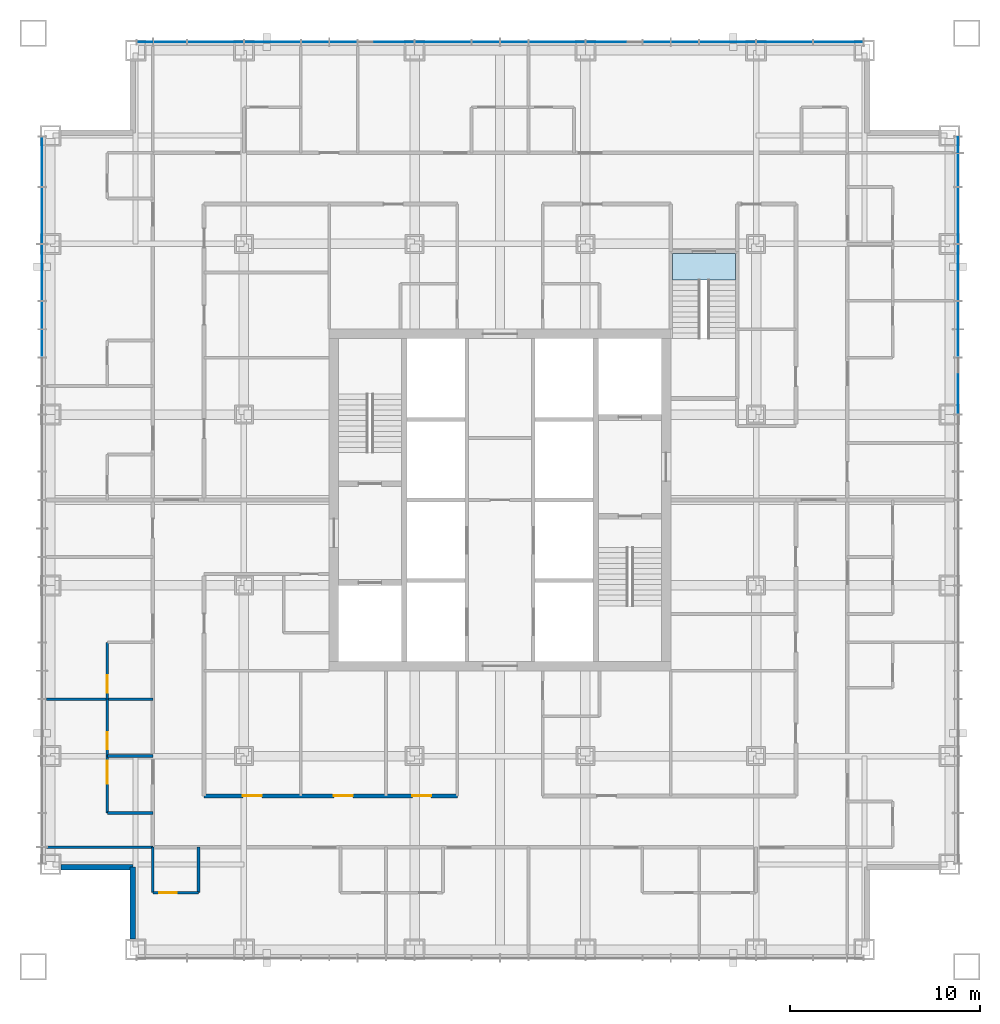
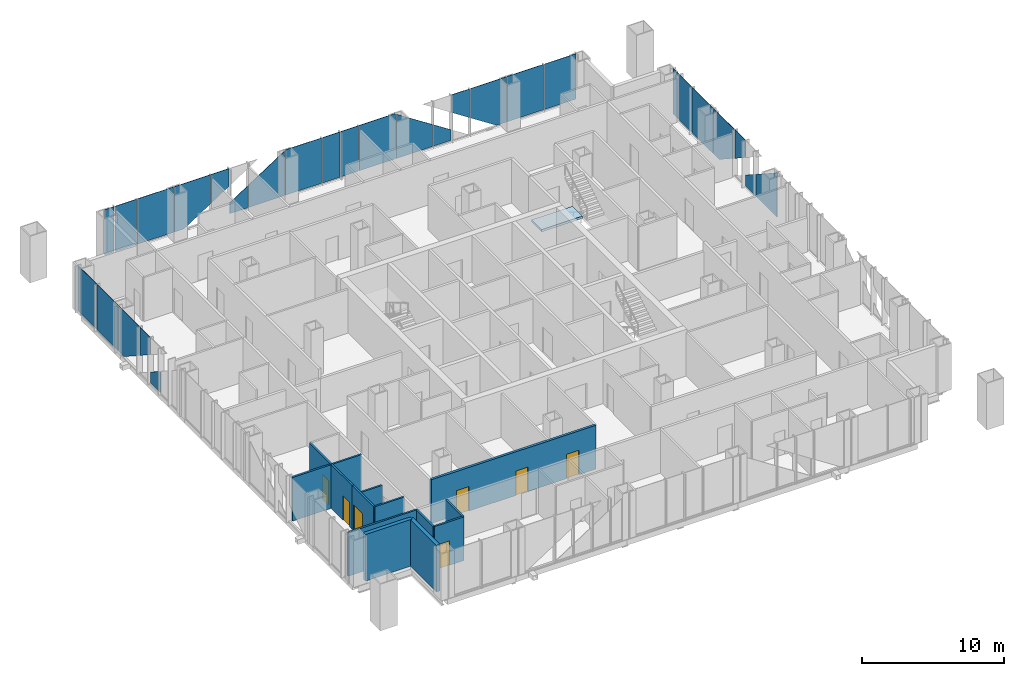
# One storey, part 8 of 14: 29 plates, 13 walls, 7 doors, 1 slab, 7 openings, 4 elements without a shape of their own.
"""IFC4 building model written with IfcOpenShell, lengths in metres."""

from ifc_helpers import new_model, si_unit, direction, frame, frame_2d, origin, origin_2d, place, context, subcontext, project, spatial, polyline, rectangle, outline, extrude, material, layer, layer_set, type_object, element, fill, aggregate, save


model = new_model("IFC4")

# Units and contexts
model_context = context("Model", 3, precision=1e-05, world=origin(), true_north=direction((0.0, 1.0)))
body_context = subcontext(model_context, "Body", "Model", "MODEL_VIEW")
ifc_project = project(units=[si_unit("LENGTHUNIT", "METRE"), si_unit("AREAUNIT", "SQUARE_METRE"), si_unit("VOLUMEUNIT", "CUBIC_METRE"), si_unit("PLANEANGLEUNIT", "RADIAN"), si_unit("MASSUNIT", "GRAM", prefix="KILO")], contexts=[model_context])

# Site, building, storey
site_placement = place(None, origin())
site = spatial("IfcSite", under=ifc_project, at=site_placement, CompositionType="ELEMENT")
building_placement = place(site_placement, origin())
building = spatial("IfcBuilding", under=site, at=building_placement, Name="Malebo Sky Hospital", CompositionType="ELEMENT")
storey_placement = place(building_placement, frame((0.0, 0.0, 148.0)))
storey = spatial("IfcBuildingStorey", under=building, at=storey_placement, Name="L35", CompositionType="ELEMENT", Elevation=148.0)

# Stair, slab
ifc_material_1 = material(Name="Concrete C40/50", Category="concrete")
stair_type = type_object("IfcStairType", Name="HALF-TURN STAIR 1400 R167", PredefinedType="HALF_TURN_STAIR", material=ifc_material_1)
stair_placement = place(storey_placement, origin())
stair = element("IfcStair", 1, at=stair_placement, inside=storey, type_object=stair_type, Name="Stair S3 L35 type ST1B", PredefinedType="HALF_TURN_STAIR")
ifc_layer_1 = layer(ifc_material_1, 0.199951171875)
ifc_layer_set_1 = layer_set([ifc_layer_1], Name="STAIR LANDING 200")
slab_type = type_object("IfcSlabType", Name="STAIR LANDING 200", PredefinedType="LANDING", material=ifc_layer_set_1)
slab_placement = place(storey_placement, frame((0.0, 0.0, -0.199951171875)))
slab = element("IfcSlab", 2, at=slab_placement, type_object=slab_type, Name="S3 landing 1", PredefinedType="LANDING", context=body_context, shape_type="SweptSolid", body=[
    extrude(outline(polyline([(69.10009765625, 73.60009765625), (72.39990234375, 73.60009765625), (72.39990234375, 75.0), (69.10009765625, 75.0), (69.10009765625, 73.60009765625)])), origin(), (0.0, 0.0, 1.0), 0.199951171875),
])
aggregate(stair, [slab])

# Curtain wall, plates
ifc_material_2 = material(Name="Anodised aluminium, natural silver", Category="aluminium")
ifc_layer_2 = layer(ifc_material_2, 0.25)
ifc_layer_set_2 = layer_set([ifc_layer_2], Name="WARD CURTAIN WALL NORTH AND SOUTH")
curtain_wall_type_1 = type_object("IfcCurtainWallType", Name="WARD CURTAIN WALL NORTH AND SOUTH", PredefinedType="NOTDEFINED", material=ifc_layer_set_2)
curtain_wall_1_placement = place(storey_placement, origin())
curtain_wall_1 = element("IfcCurtainWall", 3, at=curtain_wall_1_placement, inside=storey, type_object=curtain_wall_type_1, Name="NS curtain wall N", PredefinedType="NOTDEFINED")
ifc_material_3 = material(Name="Clear low-iron double glazing", Category="glass")
ifc_layer_3 = layer(ifc_material_3, 0.031982421875)
ifc_layer_set_3 = layer_set([ifc_layer_3], Name="VISION PANEL CLEAR 32")
plate_type = type_object("IfcPlateType", Name="VISION PANEL CLEAR 32", PredefinedType="CURTAIN_PANEL", material=ifc_layer_set_3)
plate_1_placement = place(storey_placement, frame((41.268798828125, 86.135009765625, 0.10009765625), z_axis=(0.0, 0.0, 1.0), x_axis=(1.0, 0.0, 0.0)))
plate_1 = element("IfcPlate", 4, at=plate_1_placement, type_object=plate_type, Name="Panel 1", PredefinedType="CURTAIN_PANEL", context=body_context, shape_type="SweptSolid", body=[
    extrude(rectangle(XDim=0.78759765625, YDim=0.031982421875, at=origin_2d()), origin(), (0.0, 0.0, 1.0), 3.889892578125),
])
plate_2_placement = place(storey_placement, frame((42.60009765625, 86.135009765625, 0.10009765625), z_axis=(0.0, 0.0, 1.0), x_axis=(1.0, 0.0, 0.0)))
plate_2 = element("IfcPlate", 5, at=plate_2_placement, type_object=plate_type, Name="Panel 2", PredefinedType="CURTAIN_PANEL", context=body_context, shape_type="SweptSolid", body=[
    extrude(rectangle(XDim=1.72509765625, YDim=0.031982421875, at=origin_2d()), origin(), (0.0, 0.0, 1.0), 3.889892578125),
])
plate_3_placement = place(storey_placement, frame((45.0, 86.135009765625, 0.10009765625), z_axis=(0.0, 0.0, 1.0), x_axis=(1.0, 0.0, 0.0)))
plate_3 = element("IfcPlate", 6, at=plate_3_placement, type_object=plate_type, Name="Panel 3", PredefinedType="CURTAIN_PANEL", context=body_context, shape_type="SweptSolid", body=[
    extrude(rectangle(XDim=2.925048828125, YDim=0.031982421875, at=origin_2d()), origin(), (0.0, 0.0, 1.0), 3.889892578125),
])
plate_4_placement = place(storey_placement, frame((48.0, 86.135009765625, 0.10009765625), z_axis=(0.0, 0.0, 1.0), x_axis=(1.0, 0.0, 0.0)))
plate_4 = element("IfcPlate", 7, at=plate_4_placement, type_object=plate_type, Name="Panel 4", PredefinedType="CURTAIN_PANEL", context=body_context, shape_type="SweptSolid", body=[
    extrude(outline(polyline([(-1.46240234375, 0.0), (-0.6787109375, 0.0), (1.46240234375, 1.392578125), (1.46240234375, 3.889892578125), (-1.46240234375, 3.889892578125), (-1.46240234375, 0.0)])), frame((0.0, 0.01611328125, 0.0), z_axis=(0.0, -1.0, 0.0), x_axis=(1.0, 0.0, 0.0)), (0.0, 0.0, 1.0), 0.031982421875),
])
plate_5_placement = place(storey_placement, frame((50.25, 86.135009765625, 1.54150390625), z_axis=(0.0, 0.0, 1.0), x_axis=(1.0, 0.0, 0.0)))
plate_5 = element("IfcPlate", 8, at=plate_5_placement, type_object=plate_type, Name="Panel 5", PredefinedType="CURTAIN_PANEL", context=body_context, shape_type="SweptSolid", body=[
    extrude(outline(polyline([(-0.71240234375, 0.0), (0.71240234375, 0.9267578125), (0.71240234375, 2.448486328125), (-0.71240234375, 2.448486328125), (-0.71240234375, 0.0)])), frame((0.0, 0.01611328125, 0.0), z_axis=(0.0, -1.0, 0.0), x_axis=(1.0, 0.0, 0.0)), (0.0, 0.0, 1.0), 0.031982421875),
])
plate_6_placement = place(storey_placement, frame((51.75, 86.135009765625, 0.099853515625), z_axis=(0.0, 0.0, 1.0), x_axis=(1.0, 0.0, 0.0)))
plate_6 = element("IfcPlate", 9, at=plate_6_placement, type_object=plate_type, Name="Panel 6", PredefinedType="CURTAIN_PANEL", context=body_context, shape_type="SweptSolid", body=[
    extrude(outline(polyline([(-0.71240234375, 0.0), (0.71240234375, 0.0), (0.71240234375, 1.8515625), (-0.71240234375, 0.9248046875), (-0.71240234375, 0.0)])), frame((0.0, 0.01611328125, 0.0), z_axis=(0.0, -1.0, 0.0), x_axis=(1.0, 0.0, 0.0)), (0.0, 0.0, 1.0), 0.031982421875),
])
plate_7_placement = place(storey_placement, frame((54.0, 86.135009765625, 0.10009765625), z_axis=(0.0, 0.0, 1.0), x_axis=(1.0, 0.0, 0.0)))
plate_7 = element("IfcPlate", 10, at=plate_7_placement, type_object=plate_type, Name="Panel 7", PredefinedType="CURTAIN_PANEL", context=body_context, shape_type="SweptSolid", body=[
    extrude(outline(polyline([(-1.46240234375, 0.0), (1.46240234375, 0.0), (1.46240234375, 3.802734375), (-1.46240234375, 1.900390625), (-1.46240234375, 0.0)])), frame((0.0, 0.01611328125, 0.0), z_axis=(0.0, -1.0, 0.0), x_axis=(1.0, 0.0, 0.0)), (0.0, 0.0, 1.0), 0.031982421875),
])
plate_8_placement = place(storey_placement, frame((57.0, 86.135009765625, 0.10009765625), z_axis=(0.0, 0.0, 1.0), x_axis=(1.0, 0.0, 0.0)))
plate_8 = element("IfcPlate", 11, at=plate_8_placement, type_object=plate_type, Name="Panel 8", PredefinedType="CURTAIN_PANEL", context=body_context, shape_type="SweptSolid", body=[
    extrude(outline(polyline([(-1.46240234375, 0.0), (1.46240234375, 0.0), (1.46240234375, 3.889892578125), (-1.4033203125, 3.889892578125), (-1.46240234375, 3.8515625), (-1.46240234375, 0.0)])), frame((0.0, 0.01611328125, 0.0), z_axis=(0.0, -1.0, 0.0), x_axis=(1.0, 0.0, 0.0)), (0.0, 0.0, 1.0), 0.031982421875),
])
plate_9_placement = place(storey_placement, frame((59.25, 86.135009765625, 0.10009765625), z_axis=(0.0, 0.0, 1.0), x_axis=(1.0, 0.0, 0.0)))
plate_9 = element("IfcPlate", 12, at=plate_9_placement, type_object=plate_type, Name="Panel 9", PredefinedType="CURTAIN_PANEL", context=body_context, shape_type="SweptSolid", body=[
    extrude(rectangle(XDim=1.425048828125, YDim=0.031982421875, at=origin_2d()), origin(), (0.0, 0.0, 1.0), 3.889892578125),
])
plate_10_placement = place(storey_placement, frame((60.75, 86.135009765625, 0.10009765625), z_axis=(0.0, 0.0, 1.0), x_axis=(1.0, 0.0, 0.0)))
plate_10 = element("IfcPlate", 13, at=plate_10_placement, type_object=plate_type, Name="Panel 10", PredefinedType="CURTAIN_PANEL", context=body_context, shape_type="SweptSolid", body=[
    extrude(rectangle(XDim=1.425048828125, YDim=0.031982421875, at=origin_2d()), origin(), (0.0, 0.0, 1.0), 3.889892578125),
])
plate_11_placement = place(storey_placement, frame((63.0, 86.135009765625, 0.10009765625), z_axis=(0.0, 0.0, 1.0), x_axis=(1.0, 0.0, 0.0)))
plate_11 = element("IfcPlate", 14, at=plate_11_placement, type_object=plate_type, Name="Panel 11", PredefinedType="CURTAIN_PANEL", context=body_context, shape_type="SweptSolid", body=[
    extrude(outline(polyline([(-1.46240234375, 0.0), (1.46240234375, 0.0), (1.46240234375, 3.8515625), (1.4033203125, 3.889892578125), (-1.46240234375, 3.889892578125), (-1.46240234375, 0.0)])), frame((0.0, 0.01611328125, 0.0), z_axis=(0.0, -1.0, 0.0), x_axis=(1.0, 0.0, 0.0)), (0.0, 0.0, 1.0), 0.031982421875),
])
plate_12_placement = place(storey_placement, frame((66.0, 86.135009765625, 0.10009765625), z_axis=(0.0, 0.0, 1.0), x_axis=(1.0, 0.0, 0.0)))
plate_12 = element("IfcPlate", 15, at=plate_12_placement, type_object=plate_type, Name="Panel 12", PredefinedType="CURTAIN_PANEL", context=body_context, shape_type="SweptSolid", body=[
    extrude(outline(polyline([(-1.46240234375, 0.0), (1.46240234375, 0.0), (1.46240234375, 1.900390625), (-1.46240234375, 3.802734375), (-1.46240234375, 0.0)])), frame((0.0, 0.01611328125, 0.0), z_axis=(0.0, -1.0, 0.0), x_axis=(1.0, 0.0, 0.0)), (0.0, 0.0, 1.0), 0.031982421875),
])
plate_13_placement = place(storey_placement, frame((68.25, 86.135009765625, 0.099853515625), z_axis=(0.0, 0.0, 1.0), x_axis=(1.0, 0.0, 0.0)))
plate_13 = element("IfcPlate", 16, at=plate_13_placement, type_object=plate_type, Name="Panel 13", PredefinedType="CURTAIN_PANEL", context=body_context, shape_type="SweptSolid", body=[
    extrude(outline(polyline([(-0.71240234375, 0.0), (0.71240234375, 0.0), (0.71240234375, 0.9248046875), (-0.71240234375, 1.8515625), (-0.71240234375, 0.0)])), frame((0.0, 0.01611328125, 0.0), z_axis=(0.0, -1.0, 0.0), x_axis=(1.0, 0.0, 0.0)), (0.0, 0.0, 1.0), 0.031982421875),
])
plate_14_placement = place(storey_placement, frame((69.75, 86.135009765625, 1.54150390625), z_axis=(0.0, 0.0, 1.0), x_axis=(1.0, 0.0, 0.0)))
plate_14 = element("IfcPlate", 17, at=plate_14_placement, type_object=plate_type, Name="Panel 14", PredefinedType="CURTAIN_PANEL", context=body_context, shape_type="SweptSolid", body=[
    extrude(outline(polyline([(0.71240234375, 0.0), (0.71240234375, 2.448486328125), (-0.71240234375, 2.448486328125), (-0.71240234375, 0.9267578125), (0.71240234375, 0.0)])), frame((0.0, 0.01611328125, 0.0), z_axis=(0.0, -1.0, 0.0), x_axis=(1.0, 0.0, 0.0)), (0.0, 0.0, 1.0), 0.031982421875),
])
plate_15_placement = place(storey_placement, frame((72.0, 86.135009765625, 0.10009765625), z_axis=(0.0, 0.0, 1.0), x_axis=(1.0, 0.0, 0.0)))
plate_15 = element("IfcPlate", 18, at=plate_15_placement, type_object=plate_type, Name="Panel 15", PredefinedType="CURTAIN_PANEL", context=body_context, shape_type="SweptSolid", body=[
    extrude(outline(polyline([(0.6787109375, 0.0), (1.46240234375, 0.0), (1.46240234375, 3.889892578125), (-1.46240234375, 3.889892578125), (-1.46240234375, 1.392578125), (0.6787109375, 0.0)])), frame((0.0, 0.01611328125, 0.0), z_axis=(0.0, -1.0, 0.0), x_axis=(1.0, 0.0, 0.0)), (0.0, 0.0, 1.0), 0.031982421875),
])
plate_16_placement = place(storey_placement, frame((75.0, 86.135009765625, 0.10009765625), z_axis=(0.0, 0.0, 1.0), x_axis=(1.0, 0.0, 0.0)))
plate_16 = element("IfcPlate", 19, at=plate_16_placement, type_object=plate_type, Name="Panel 16", PredefinedType="CURTAIN_PANEL", context=body_context, shape_type="SweptSolid", body=[
    extrude(rectangle(XDim=2.925048828125, YDim=0.031982421875, at=origin_2d()), origin(), (0.0, 0.0, 1.0), 3.889892578125),
])
plate_17_placement = place(storey_placement, frame((77.831298828125, 86.135009765625, 0.10009765625), z_axis=(0.0, 0.0, 1.0), x_axis=(1.0, 0.0, 0.0)))
plate_17 = element("IfcPlate", 20, at=plate_17_placement, type_object=plate_type, Name="Panel 17", PredefinedType="CURTAIN_PANEL", context=body_context, shape_type="SweptSolid", body=[
    extrude(rectangle(XDim=2.58740234375, YDim=0.031982421875, at=origin_2d()), origin(), (0.0, 0.0, 1.0), 3.889892578125),
])
aggregate(curtain_wall_1, [plate_1, plate_2, plate_3, plate_4, plate_5, plate_6, plate_7, plate_8, plate_9, plate_10, plate_11, plate_12, plate_13, plate_14, plate_15, plate_16, plate_17])

ifc_layer_4 = layer(ifc_material_2, 0.25)
ifc_layer_set_4 = layer_set([ifc_layer_4], Name="WARD CURTAIN WALL EAST AND WEST")
curtain_wall_type_2 = type_object("IfcCurtainWallType", Name="WARD CURTAIN WALL EAST AND WEST", PredefinedType="NOTDEFINED", material=ifc_layer_set_4)
curtain_wall_2_placement = place(storey_placement, origin())
curtain_wall_2 = element("IfcCurtainWall", 21, at=curtain_wall_2_placement, inside=storey, type_object=curtain_wall_type_2, Name="EW curtain wall W", PredefinedType="NOTDEFINED")
plate_18_placement = place(storey_placement, frame((35.864990234375, 70.25, 0.099853515625), z_axis=(0.0, 0.0, 1.0), x_axis=(0.0, 1.0, 0.0)))
plate_18 = element("IfcPlate", 22, at=plate_18_placement, type_object=plate_type, Name="Panel 15", PredefinedType="CURTAIN_PANEL", context=body_context, shape_type="SweptSolid", body=[
    extrude(outline(polyline([(-0.71240234375, 0.0), (0.71240234375, 0.0), (0.71240234375, 0.9248046875), (-0.71240234375, 1.8515625), (-0.71240234375, 0.0)])), frame((0.0, 0.01611328125, 0.0), z_axis=(0.0, -1.0, 0.0), x_axis=(1.0, 0.0, 0.0)), (0.0, 0.0, 1.0), 0.031982421875),
])
plate_19_placement = place(storey_placement, frame((35.864990234375, 71.75, 1.54150390625), z_axis=(0.0, 0.0, 1.0), x_axis=(0.0, 1.0, 0.0)))
plate_19 = element("IfcPlate", 23, at=plate_19_placement, type_object=plate_type, Name="Panel 16", PredefinedType="CURTAIN_PANEL", context=body_context, shape_type="SweptSolid", body=[
    extrude(outline(polyline([(0.71240234375, 0.0), (0.71240234375, 2.448486328125), (-0.71240234375, 2.448486328125), (-0.71240234375, 0.9267578125), (0.71240234375, 0.0)])), frame((0.0, 0.01611328125, 0.0), z_axis=(0.0, -1.0, 0.0), x_axis=(1.0, 0.0, 0.0)), (0.0, 0.0, 1.0), 0.031982421875),
])
plate_20_placement = place(storey_placement, frame((35.864990234375, 74.0, 0.10009765625), z_axis=(0.0, 0.0, 1.0), x_axis=(0.0, 1.0, 0.0)))
plate_20 = element("IfcPlate", 24, at=plate_20_placement, type_object=plate_type, Name="Panel 17", PredefinedType="CURTAIN_PANEL", context=body_context, shape_type="SweptSolid", body=[
    extrude(outline(polyline([(0.6787109375, 0.0), (1.46240234375, 0.0), (1.46240234375, 3.889892578125), (-1.46240234375, 3.889892578125), (-1.46240234375, 1.392578125), (0.6787109375, 0.0)])), frame((0.0, 0.01611328125, 0.0), z_axis=(0.0, -1.0, 0.0), x_axis=(1.0, 0.0, 0.0)), (0.0, 0.0, 1.0), 0.031982421875),
])
plate_21_placement = place(storey_placement, frame((35.864990234375, 77.0, 0.10009765625), z_axis=(0.0, 0.0, 1.0), x_axis=(0.0, 1.0, 0.0)))
plate_21 = element("IfcPlate", 25, at=plate_21_placement, type_object=plate_type, Name="Panel 18", PredefinedType="CURTAIN_PANEL", context=body_context, shape_type="SweptSolid", body=[
    extrude(rectangle(XDim=2.925048828125, YDim=0.031982421875, at=origin_2d()), origin(), (0.0, 0.0, 1.0), 3.889892578125),
])
plate_22_placement = place(storey_placement, frame((35.864990234375, 79.831298828125, 0.10009765625), z_axis=(0.0, 0.0, 1.0), x_axis=(0.0, 1.0, 0.0)))
plate_22 = element("IfcPlate", 26, at=plate_22_placement, type_object=plate_type, Name="Panel 19", PredefinedType="CURTAIN_PANEL", context=body_context, shape_type="SweptSolid", body=[
    extrude(rectangle(XDim=2.58740234375, YDim=0.031982421875, at=origin_2d()), origin(), (0.0, 0.0, 1.0), 3.889892578125),
])
aggregate(curtain_wall_2, [plate_18, plate_19, plate_20, plate_21, plate_22])

curtain_wall_3_placement = place(storey_placement, origin())
curtain_wall_3 = element("IfcCurtainWall", 27, at=curtain_wall_3_placement, inside=storey, type_object=curtain_wall_type_2, Name="EW curtain wall E", PredefinedType="NOTDEFINED")
plate_23_placement = place(storey_placement, frame((84.135009765625, 80.731201171875, 0.10009765625), z_axis=(0.0, 0.0, 1.0), x_axis=(0.0, -1.0, 0.0)))
plate_23 = element("IfcPlate", 28, at=plate_23_placement, type_object=plate_type, Name="Panel 1", PredefinedType="CURTAIN_PANEL", context=body_context, shape_type="SweptSolid", body=[
    extrude(rectangle(XDim=0.78759765625, YDim=0.031982421875, at=origin_2d()), origin(), (0.0, 0.0, 1.0), 3.889892578125),
])
plate_24_placement = place(storey_placement, frame((84.135009765625, 79.39990234375, 0.10009765625), z_axis=(0.0, 0.0, 1.0), x_axis=(0.0, -1.0, 0.0)))
plate_24 = element("IfcPlate", 29, at=plate_24_placement, type_object=plate_type, Name="Panel 2", PredefinedType="CURTAIN_PANEL", context=body_context, shape_type="SweptSolid", body=[
    extrude(rectangle(XDim=1.72509765625, YDim=0.031982421875, at=origin_2d()), origin(), (0.0, 0.0, 1.0), 3.889892578125),
])
plate_25_placement = place(storey_placement, frame((84.135009765625, 77.0, 0.10009765625), z_axis=(0.0, 0.0, 1.0), x_axis=(0.0, -1.0, 0.0)))
plate_25 = element("IfcPlate", 30, at=plate_25_placement, type_object=plate_type, Name="Panel 3", PredefinedType="CURTAIN_PANEL", context=body_context, shape_type="SweptSolid", body=[
    extrude(rectangle(XDim=2.925048828125, YDim=0.031982421875, at=origin_2d()), origin(), (0.0, 0.0, 1.0), 3.889892578125),
])
plate_26_placement = place(storey_placement, frame((84.135009765625, 74.0, 0.10009765625), z_axis=(0.0, 0.0, 1.0), x_axis=(0.0, -1.0, 0.0)))
plate_26 = element("IfcPlate", 31, at=plate_26_placement, type_object=plate_type, Name="Panel 4", PredefinedType="CURTAIN_PANEL", context=body_context, shape_type="SweptSolid", body=[
    extrude(outline(polyline([(-1.46240234375, 0.0), (-0.6787109375, 0.0), (1.46240234375, 1.392578125), (1.46240234375, 3.889892578125), (-1.46240234375, 3.889892578125), (-1.46240234375, 0.0)])), frame((0.0, 0.01611328125, 0.0), z_axis=(0.0, -1.0, 0.0), x_axis=(1.0, 0.0, 0.0)), (0.0, 0.0, 1.0), 0.031982421875),
])
plate_27_placement = place(storey_placement, frame((84.135009765625, 71.75, 1.54150390625), z_axis=(0.0, 0.0, 1.0), x_axis=(0.0, -1.0, 0.0)))
plate_27 = element("IfcPlate", 32, at=plate_27_placement, type_object=plate_type, Name="Panel 5", PredefinedType="CURTAIN_PANEL", context=body_context, shape_type="SweptSolid", body=[
    extrude(outline(polyline([(-0.71240234375, 0.0), (0.71240234375, 0.9267578125), (0.71240234375, 2.448486328125), (-0.71240234375, 2.448486328125), (-0.71240234375, 0.0)])), frame((0.0, 0.01611328125, 0.0), z_axis=(0.0, -1.0, 0.0), x_axis=(1.0, 0.0, 0.0)), (0.0, 0.0, 1.0), 0.031982421875),
])
plate_28_placement = place(storey_placement, frame((84.135009765625, 70.25, 0.099853515625), z_axis=(0.0, 0.0, 1.0), x_axis=(0.0, -1.0, 0.0)))
plate_28 = element("IfcPlate", 33, at=plate_28_placement, type_object=plate_type, Name="Panel 6", PredefinedType="CURTAIN_PANEL", context=body_context, shape_type="SweptSolid", body=[
    extrude(outline(polyline([(-0.71240234375, 0.0), (0.71240234375, 0.0), (0.71240234375, 1.8515625), (-0.71240234375, 0.9248046875), (-0.71240234375, 0.0)])), frame((0.0, 0.01611328125, 0.0), z_axis=(0.0, -1.0, 0.0), x_axis=(1.0, 0.0, 0.0)), (0.0, 0.0, 1.0), 0.031982421875),
])
plate_29_placement = place(storey_placement, frame((84.135009765625, 68.0, 0.10009765625), z_axis=(0.0, 0.0, 1.0), x_axis=(0.0, -1.0, 0.0)))
plate_29 = element("IfcPlate", 34, at=plate_29_placement, type_object=plate_type, Name="Panel 7", PredefinedType="CURTAIN_PANEL", context=body_context, shape_type="SweptSolid", body=[
    extrude(outline(polyline([(-1.46240234375, 0.0), (1.46240234375, 0.0), (1.46240234375, 3.802734375), (-1.46240234375, 1.900390625), (-1.46240234375, 0.0)])), frame((0.0, 0.01611328125, 0.0), z_axis=(0.0, -1.0, 0.0), x_axis=(1.0, 0.0, 0.0)), (0.0, 0.0, 1.0), 0.031982421875),
])
aggregate(curtain_wall_3, [plate_23, plate_24, plate_25, plate_26, plate_27, plate_28, plate_29])

# Wall, openings, doors
ifc_material_4 = material(Name="Gypsum board on steel studs", Category="steel")
ifc_layer_5 = layer(ifc_material_4, 0.199951171875)
ifc_layer_set_5 = layer_set([ifc_layer_5], Name="CORRIDOR WALL 200")
wall_type_1 = type_object("IfcWallType", Name="CORRIDOR WALL 200", PredefinedType="PARTITIONING", material=ifc_layer_set_5)
wall_1_placement = place(storey_placement, frame((57.75, 46.39990234375, 0.0), z_axis=(0.0, 0.0, 1.0), x_axis=(-1.0, 0.0, 0.0)))
wall_1 = element("IfcWall", 35, at=wall_1_placement, inside=storey, type_object=wall_type_1, Name="Corridor Wall 200 SCI2", PredefinedType="PARTITIONING", context=body_context, shape_type="SweptSolid", body=[
    extrude(rectangle(XDim=13.35009765625, YDim=0.199951171875, at=frame_2d((6.675048828125, 0.0))), origin(), (0.0, 0.0, 1.0), 3.75),
])
opening_1_placement = place(wall_1_placement, frame((1.375, 0.0, 0.0)))
opening_1 = element("IfcOpeningElement", 36, at=opening_1_placement, cuts=wall_1, Name="Opening D03", PredefinedType="OPENING", context=body_context, shape_type="SweptSolid", body=[
    extrude(rectangle(XDim=1.0, YDim=2.10009765625, at=frame_2d((0.5, 1.050048828125))), frame((0.0, 0.10986328125, 0.0), z_axis=(0.0, -1.0, 0.0), x_axis=(1.0, 0.0, 0.0)), (0.0, 0.0, 1.0), 0.219970703125),
])
opening_2_placement = place(wall_1_placement, frame((5.5, 0.0, 0.0)))
opening_2 = element("IfcOpeningElement", 37, at=opening_2_placement, cuts=wall_1, Name="Opening D03", PredefinedType="OPENING", context=body_context, shape_type="SweptSolid", body=[
    extrude(rectangle(XDim=1.0, YDim=2.10009765625, at=frame_2d((0.5, 1.050048828125))), frame((0.0, 0.10986328125, 0.0), z_axis=(0.0, -1.0, 0.0), x_axis=(1.0, 0.0, 0.0)), (0.0, 0.0, 1.0), 0.219970703125),
])
opening_3_placement = place(wall_1_placement, frame((10.300048828125, 0.0, 0.0)))
opening_3 = element("IfcOpeningElement", 38, at=opening_3_placement, cuts=wall_1, Name="Opening D03", PredefinedType="OPENING", context=body_context, shape_type="SweptSolid", body=[
    extrude(rectangle(XDim=1.0, YDim=2.10009765625, at=frame_2d((0.5, 1.050048828125))), frame((0.0, 0.10986328125, 0.0), z_axis=(0.0, -1.0, 0.0), x_axis=(1.0, 0.0, 0.0)), (0.0, 0.0, 1.0), 0.219970703125),
])
ifc_material_5 = material(Name="Hardwood-faced door leaf in steel frame", Category="steel")
door_type_1 = type_object("IfcDoorType", Name="ROOM DOOR 1000", OperationType="SINGLE_SWING_LEFT", PredefinedType="DOOR", material=ifc_material_5)
door_1_placement = place(opening_1_placement, origin())
door_1 = element("IfcDoor", 39, at=door_1_placement, inside=storey, type_object=door_type_1, Name="Equipment store door", OperationType="SINGLE_SWING_LEFT", OverallHeight=2.10009765625, OverallWidth=1.0, PredefinedType="DOOR", context=body_context, shape_type="SweptSolid", body=[
    extrude(rectangle(XDim=1.0, YDim=2.10009765625, at=frame_2d((0.5, 1.050048828125))), frame((0.0, 0.02490234375, 0.0), z_axis=(0.0, -1.0, 0.0), x_axis=(1.0, 0.0, 0.0)), (0.0, 0.0, 1.0), 0.050048828125),
])
fill(opening_1, door_1)
door_2_placement = place(opening_2_placement, origin())
door_2 = element("IfcDoor", 40, at=door_2_placement, inside=storey, type_object=door_type_1, Name="Clean utility room door", OperationType="SINGLE_SWING_LEFT", OverallHeight=2.10009765625, OverallWidth=1.0, PredefinedType="DOOR", context=body_context, shape_type="SweptSolid", body=[
    extrude(rectangle(XDim=1.0, YDim=2.10009765625, at=frame_2d((0.5, 1.050048828125))), frame((0.0, 0.02490234375, 0.0), z_axis=(0.0, -1.0, 0.0), x_axis=(1.0, 0.0, 0.0)), (0.0, 0.0, 1.0), 0.050048828125),
])
fill(opening_2, door_2)
door_3_placement = place(opening_3_placement, origin())
door_3 = element("IfcDoor", 41, at=door_3_placement, inside=storey, type_object=door_type_1, Name="Seminar room door", OperationType="SINGLE_SWING_RIGHT", OverallHeight=2.10009765625, OverallWidth=1.0, PredefinedType="DOOR", context=body_context, shape_type="SweptSolid", body=[
    extrude(rectangle(XDim=1.0, YDim=2.10009765625, at=frame_2d((0.5, 1.050048828125))), frame((0.0, 0.02490234375, 0.0), z_axis=(0.0, -1.0, 0.0), x_axis=(1.0, 0.0, 0.0)), (0.0, 0.0, 1.0), 0.050048828125),
])
fill(opening_3, door_3)

# Walls
ifc_material_6 = material(Name="Anodised aluminium rainscreen on steel framing", Category="steel")
ifc_layer_6 = layer(ifc_material_6, 0.300048828125)
ifc_layer_set_6 = layer_set([ifc_layer_6], Name="NOTCH RAINSCREEN WALL 300")
wall_type_2 = type_object("IfcWallType", Name="NOTCH RAINSCREEN WALL 300", PredefinedType="ELEMENTEDWALL", material=ifc_layer_set_6)
for number, where, z_axis, x_axis, name in (
    (42, (40.64990234375, 38.85009765625, 0.0), (0.0, 0.0, 1.0), (0.0, 1.0, 0.0), "Notch rainscreen wall S1 L35"),
    (43, (40.64990234375, 42.64990234375, 0.0), (0.0, 0.0, 1.0), (-1.0, 0.0, 0.0), "Notch rainscreen wall S2 L35"),
):
    element("IfcWall", number, at=place(storey_placement, frame(where, z_axis=z_axis, x_axis=x_axis)), inside=storey, type_object=wall_type_2, Name=name, PredefinedType="ELEMENTEDWALL", context=body_context, shape_type="SweptSolid", body=[
        extrude(rectangle(XDim=3.7998046875, YDim=0.300048828125, at=frame_2d((1.89990234375, 0.0))), origin(), (0.0, 0.0, 1.0), 4.0),
    ])
ifc_layer_7 = layer(ifc_material_4, 0.14990234375)
ifc_layer_set_7 = layer_set([ifc_layer_7], Name="PARTITION 150")
wall_type_3 = type_object("IfcWallType", Name="PARTITION 150", PredefinedType="PARTITIONING", material=ifc_layer_set_7)
for number, where, z_axis, x_axis, name in (
    (44, (41.699951171875, 51.5, 0.0), (0.0, 0.0, 1.0), (-1.0, 0.0, 0.0), "Partition 150 WP-10.5"),
    (45, (41.699951171875, 43.699951171875, 0.0), (0.0, 0.0, 1.0), (-1.0, 0.0, 0.0), "Partition 150 WP0"),
):
    element("IfcWall", number, at=place(storey_placement, frame(where, z_axis=z_axis, x_axis=x_axis)), inside=storey, type_object=wall_type_3, Name=name, PredefinedType="PARTITIONING", context=body_context, shape_type="SweptSolid", body=[
        extrude(rectangle(XDim=5.60986328125, YDim=0.14990234375, at=frame_2d((2.804931640625, 0.0))), origin(), (0.0, 0.0, 1.0), 3.75),
    ])

# Wall, opening, door
wall_2_placement = place(storey_placement, frame((39.300048828125, 48.5, 0.0), z_axis=(0.0, 0.0, 1.0), x_axis=(0.0, 1.0, 0.0)))
wall_2 = element("IfcWall", 46, at=wall_2_placement, inside=storey, type_object=wall_type_3, Name="Partition 150 WE0F", PredefinedType="PARTITIONING", context=body_context, shape_type="SweptSolid", body=[
    extrude(rectangle(XDim=3.0, YDim=0.14990234375, at=frame_2d((1.5, 0.0))), origin(), (0.0, 0.0, 1.0), 3.75),
])
opening_4_placement = place(wall_2_placement, frame((0.35009765625, 0.0, 0.0)))
opening_4 = element("IfcOpeningElement", 47, at=opening_4_placement, cuts=wall_2, Name="Opening D02", PredefinedType="OPENING", context=body_context, shape_type="SweptSolid", body=[
    extrude(rectangle(XDim=0.89990234375, YDim=2.10009765625, at=frame_2d((0.449951171875, 1.050048828125))), frame((0.0, 0.0849609375, 0.0), z_axis=(0.0, -1.0, 0.0), x_axis=(1.0, 0.0, 0.0)), (0.0, 0.0, 1.0), 0.169921875),
])
door_type_2 = type_object("IfcDoorType", Name="EN-SUITE DOOR 900", OperationType="SINGLE_SWING_LEFT", PredefinedType="DOOR", material=ifc_material_5)
door_4_placement = place(opening_4_placement, origin())
door_4 = element("IfcDoor", 48, at=door_4_placement, inside=storey, type_object=door_type_2, Name="En-suite door", OperationType="SINGLE_SWING_LEFT", OverallHeight=2.10009765625, OverallWidth=0.89990234375, PredefinedType="DOOR", context=body_context, shape_type="SweptSolid", body=[
    extrude(rectangle(XDim=0.89990234375, YDim=2.10009765625, at=frame_2d((0.449951171875, 1.050048828125))), frame((0.0, 0.02490234375, 0.0), z_axis=(0.0, -1.0, 0.0), x_axis=(1.0, 0.0, 0.0)), (0.0, 0.0, 1.0), 0.050048828125),
])
fill(opening_4, door_4)

# Wall
wall_3_placement = place(storey_placement, frame((41.699951171875, 48.5, 0.0), z_axis=(0.0, 0.0, 1.0), x_axis=(-1.0, 0.0, 0.0)))
element("IfcWall", 49, at=wall_3_placement, inside=storey, type_object=wall_type_3, Name="Partition 150 WE0S", PredefinedType="PARTITIONING", context=body_context, shape_type="SweptSolid", body=[
    extrude(rectangle(XDim=2.39990234375, YDim=0.14990234375, at=frame_2d((1.199951171875, 0.0))), origin(), (0.0, 0.0, 1.0), 2.949951171875),
])

# Wall, opening, door
wall_4_placement = place(storey_placement, frame((39.300048828125, 51.5, 0.0), z_axis=(0.0, 0.0, 1.0), x_axis=(0.0, 1.0, 0.0)))
wall_4 = element("IfcWall", 50, at=wall_4_placement, inside=storey, type_object=wall_type_3, Name="Partition 150 WE1F", PredefinedType="PARTITIONING", context=body_context, shape_type="SweptSolid", body=[
    extrude(rectangle(XDim=3.0, YDim=0.14990234375, at=frame_2d((1.5, 0.0))), origin(), (0.0, 0.0, 1.0), 3.75),
])
opening_5_placement = place(wall_4_placement, frame((0.35009765625, 0.0, 0.0)))
opening_5 = element("IfcOpeningElement", 51, at=opening_5_placement, cuts=wall_4, Name="Opening D02", PredefinedType="OPENING", context=body_context, shape_type="SweptSolid", body=[
    extrude(rectangle(XDim=0.89990234375, YDim=2.10009765625, at=frame_2d((0.449951171875, 1.050048828125))), frame((0.0, 0.0849609375, 0.0), z_axis=(0.0, -1.0, 0.0), x_axis=(1.0, 0.0, 0.0)), (0.0, 0.0, 1.0), 0.169921875),
])
door_5_placement = place(opening_5_placement, origin())
door_5 = element("IfcDoor", 52, at=door_5_placement, inside=storey, type_object=door_type_2, Name="En-suite door", OperationType="SINGLE_SWING_LEFT", OverallHeight=2.10009765625, OverallWidth=0.89990234375, PredefinedType="DOOR", context=body_context, shape_type="SweptSolid", body=[
    extrude(rectangle(XDim=0.89990234375, YDim=2.10009765625, at=frame_2d((0.449951171875, 1.050048828125))), frame((0.0, 0.02490234375, 0.0), z_axis=(0.0, -1.0, 0.0), x_axis=(1.0, 0.0, 0.0)), (0.0, 0.0, 1.0), 0.050048828125),
])
fill(opening_5, door_5)

wall_5_placement = place(storey_placement, frame((44.10009765625, 41.300048828125, 0.0), z_axis=(0.0, 0.0, 1.0), x_axis=(-1.0, 0.0, 0.0)))
wall_5 = element("IfcWall", 53, at=wall_5_placement, inside=storey, type_object=wall_type_3, Name="Partition 150 SG3F", PredefinedType="PARTITIONING", context=body_context, shape_type="SweptSolid", body=[
    extrude(rectangle(XDim=2.400146484375, YDim=0.14990234375, at=frame_2d((1.2001953125, 0.0))), origin(), (0.0, 0.0, 1.0), 3.75),
])
opening_6_placement = place(wall_5_placement, frame((1.14990234375, 0.0, 0.0)))
opening_6 = element("IfcOpeningElement", 54, at=opening_6_placement, cuts=wall_5, Name="Opening D02", PredefinedType="OPENING", context=body_context, shape_type="SweptSolid", body=[
    extrude(rectangle(XDim=0.89990234375, YDim=2.10009765625, at=frame_2d((0.449951171875, 1.050048828125))), frame((0.0, 0.0849609375, 0.0), z_axis=(0.0, -1.0, 0.0), x_axis=(1.0, 0.0, 0.0)), (0.0, 0.0, 1.0), 0.169921875),
])
door_6_placement = place(opening_6_placement, origin())
door_6 = element("IfcDoor", 55, at=door_6_placement, inside=storey, type_object=door_type_2, Name="En-suite door", OperationType="SINGLE_SWING_RIGHT", OverallHeight=2.10009765625, OverallWidth=0.89990234375, PredefinedType="DOOR", context=body_context, shape_type="SweptSolid", body=[
    extrude(rectangle(XDim=0.89990234375, YDim=2.10009765625, at=frame_2d((0.449951171875, 1.050048828125))), frame((0.0, 0.02490234375, 0.0), z_axis=(0.0, -1.0, 0.0), x_axis=(1.0, 0.0, 0.0)), (0.0, 0.0, 1.0), 0.050048828125),
])
fill(opening_6, door_6)

# Walls
for number, where, z_axis, x_axis, name in (
    (56, (44.10009765625, 43.699951171875, 0.0), (0.0, 0.0, 1.0), (0.0, -1.0, 0.0), "Partition 150 SG3S"),
    (57, (41.699951171875, 43.699951171875, 0.0), (0.0, 0.0, 1.0), (0.0, -1.0, 0.0), "Partition 150 SEZ"),
):
    element("IfcWall", number, at=place(storey_placement, frame(where, z_axis=z_axis, x_axis=x_axis)), inside=storey, type_object=wall_type_3, Name=name, PredefinedType="PARTITIONING", context=body_context, shape_type="SweptSolid", body=[
        extrude(rectangle(XDim=2.39990234375, YDim=0.14990234375, at=frame_2d((1.199951171875, 0.0))), origin(), (0.0, 0.0, 1.0), 3.75),
    ])

# Wall, opening, door
ifc_material_7 = material(Name="Sealed gypsum board on steel studs, taped to the slab", Category="steel")
ifc_layer_8 = layer(ifc_material_7, 0.14990234375)
ifc_layer_set_8 = layer_set([ifc_layer_8], Name="SEALED ISOLATION PARTITION 150")
wall_type_4 = type_object("IfcWallType", Name="SEALED ISOLATION PARTITION 150", PredefinedType="PARTITIONING", material=ifc_layer_set_8)
wall_6_placement = place(storey_placement, frame((39.300048828125, 45.5, 0.0), z_axis=(0.0, 0.0, 1.0), x_axis=(0.0, 1.0, 0.0)))
wall_6 = element("IfcWall", 58, at=wall_6_placement, inside=storey, type_object=wall_type_4, Name="Sealed Isolation Partition 150 WA0F", PredefinedType="PARTITIONING", context=body_context, shape_type="SweptSolid", body=[
    extrude(rectangle(XDim=3.0, YDim=0.14990234375, at=frame_2d((1.5, 0.0))), origin(), (0.0, 0.0, 1.0), 3.75),
])
opening_7_placement = place(wall_6_placement, frame((1.550048828125, 0.0, 0.0)))
opening_7 = element("IfcOpeningElement", 59, at=opening_7_placement, cuts=wall_6, Name="Opening D19", PredefinedType="OPENING", context=body_context, shape_type="SweptSolid", body=[
    extrude(rectangle(XDim=1.199951171875, YDim=2.199951171875, at=frame_2d((0.60009765625, 1.10009765625))), frame((0.0, 0.0849609375, 0.0), z_axis=(0.0, -1.0, 0.0), x_axis=(1.0, 0.0, 0.0)), (0.0, 0.0, 1.0), 0.169921875),
])
ifc_material_8 = material(Name="Hardwood-faced door leaf with perimeter seals in steel frame", Category="steel")
door_type_3 = type_object("IfcDoorType", Name="SEALED ISOLATION ROOM DOOR 1200", OperationType="SINGLE_SWING_LEFT", PredefinedType="DOOR", material=ifc_material_8)
door_7_placement = place(opening_7_placement, origin())
door_7 = element("IfcDoor", 60, at=door_7_placement, inside=storey, type_object=door_type_3, Name="Isolation room door", OperationType="SINGLE_SWING_RIGHT", OverallHeight=2.199951171875, OverallWidth=1.199951171875, PredefinedType="DOOR", context=body_context, shape_type="SweptSolid", body=[
    extrude(rectangle(XDim=1.199951171875, YDim=2.199951171875, at=frame_2d((0.60009765625, 1.10009765625))), frame((0.0, 0.02490234375, 0.0), z_axis=(0.0, -1.0, 0.0), x_axis=(1.0, 0.0, 0.0)), (0.0, 0.0, 1.0), 0.050048828125),
])
fill(opening_7, door_7)

# Wall
wall_7_placement = place(storey_placement, frame((41.699951171875, 45.5, 0.0), z_axis=(0.0, 0.0, 1.0), x_axis=(-1.0, 0.0, 0.0)))
element("IfcWall", 61, at=wall_7_placement, inside=storey, type_object=wall_type_4, Name="Sealed Isolation Partition 150 WA0S", PredefinedType="PARTITIONING", context=body_context, shape_type="SweptSolid", body=[
    extrude(rectangle(XDim=2.39990234375, YDim=0.14990234375, at=frame_2d((1.199951171875, 0.0))), origin(), (0.0, 0.0, 1.0), 3.75),
])

save(model, "model.ifc")
